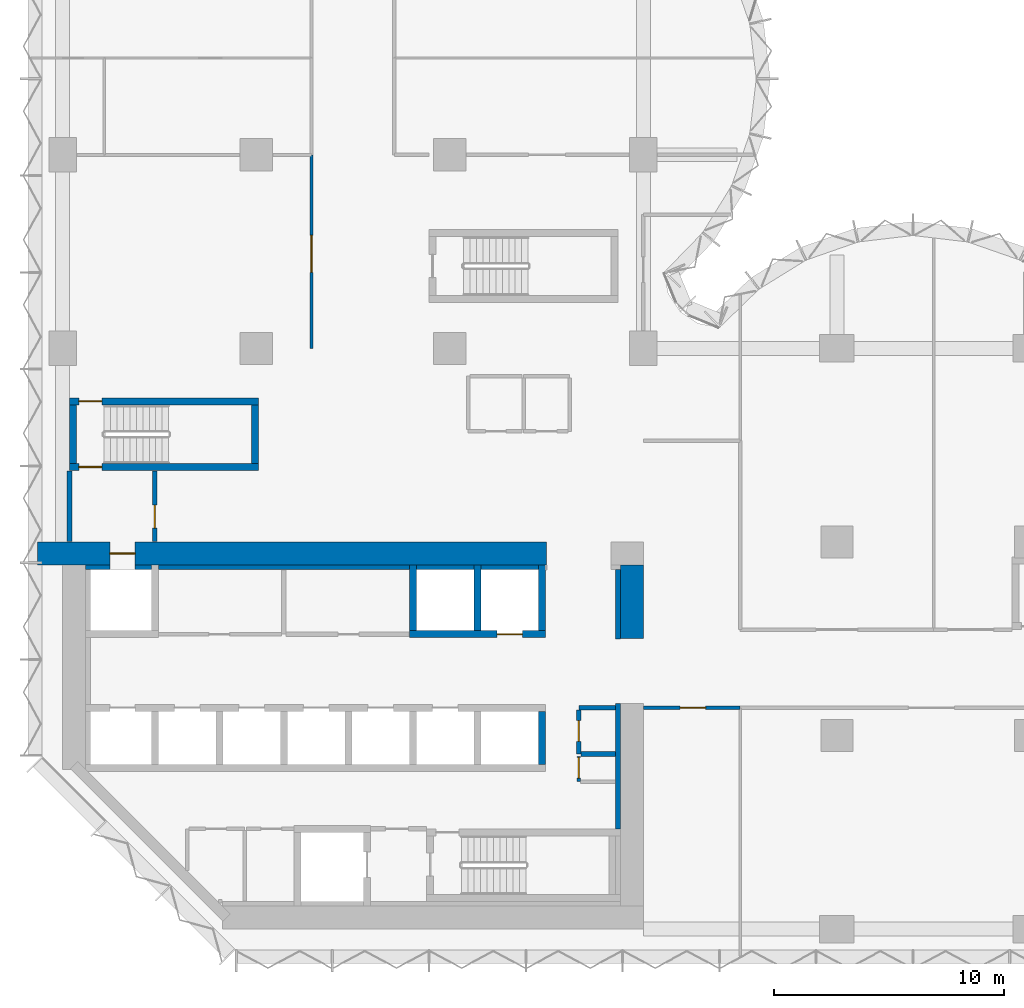
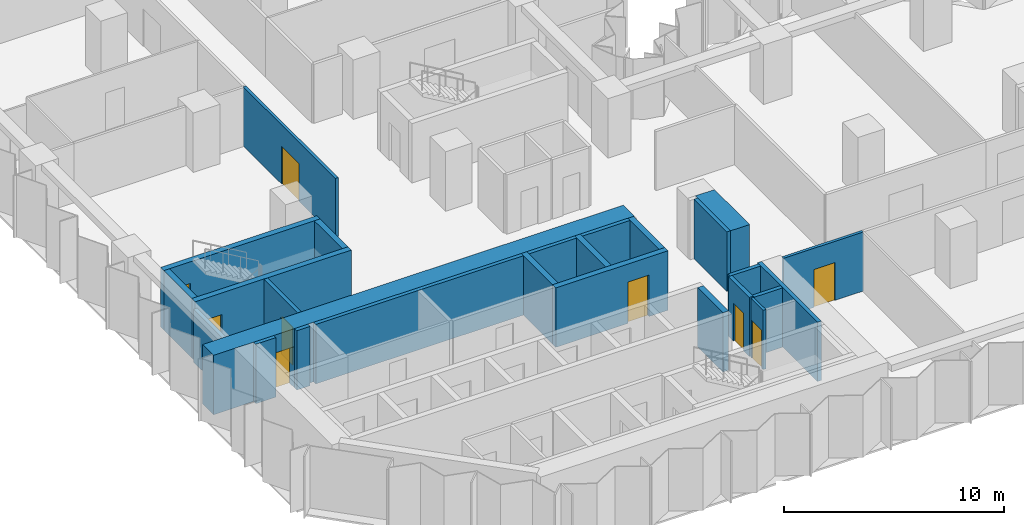
# One storey, part 8 of 15: 26 walls, 9 doors, 9 openings.
"""IFC4 building model written with IfcOpenShell, lengths in metres."""

from ifc_helpers import new_model, si_unit, direction, frame, frame_2d, origin, place, context, subcontext, project, spatial, rectangle, extrude, material, layer, layer_set, type_object, element, fill, save


model = new_model("IFC4")

# Units and contexts
model_context = context("Model", 3, precision=1e-05, world=origin(), true_north=direction((0.0, 1.0)))
body_context = subcontext(model_context, "Body", "Model", "MODEL_VIEW")
ifc_project = project(units=[si_unit("LENGTHUNIT", "METRE"), si_unit("AREAUNIT", "SQUARE_METRE"), si_unit("VOLUMEUNIT", "CUBIC_METRE"), si_unit("PLANEANGLEUNIT", "RADIAN"), si_unit("MASSUNIT", "GRAM", prefix="KILO")], contexts=[model_context])

# Site, building, storey
site_placement = place(None, origin())
site = spatial("IfcSite", under=ifc_project, at=site_placement, CompositionType="ELEMENT")
building_placement = place(site_placement, origin())
building = spatial("IfcBuilding", under=site, at=building_placement, Name="Brevane Broadcast Tower", CompositionType="ELEMENT")
storey_placement = place(building_placement, frame((0.0, 0.0, 83.300048828125)))
storey = spatial("IfcBuildingStorey", under=building, at=storey_placement, Name="L19", CompositionType="ELEMENT", Elevation=83.300048828125)

# Walls
ifc_material_1 = material(Name="Concrete C32/40", Category="concrete")
ifc_layer_1 = layer(ifc_material_1, 0.199951171875)
ifc_layer_set_1 = layer_set([ifc_layer_1], Name="Core chase wall 200 mm")
wall_type_1 = type_object("IfcWallType", Name="Core chase wall 200 mm", PredefinedType="PARTITIONING", material=ifc_layer_set_1)
wall_1_placement = place(storey_placement, frame((24.10009765625, 12.60009765625, 0.0), z_axis=(0.0, 0.0, 1.0), x_axis=(0.0, 1.0, 0.0)))
element("IfcWall", 1, at=wall_1_placement, inside=storey, type_object=wall_type_1, Name="L19 chase wall LE2", PredefinedType="PARTITIONING", context=body_context, shape_type="SweptSolid", body=[
    extrude(rectangle(XDim=3.0, YDim=0.199951171875, at=frame_2d((1.5, 0.0))), origin(), (0.0, 0.0, 1.0), 3.300048828125),
])
wall_2_placement = place(storey_placement, frame((1.0, 15.699951171875, 0.0), z_axis=(0.0, 0.0, 1.0), x_axis=(1.0, 0.0, 0.0)))
element("IfcWall", 2, at=wall_2_placement, inside=storey, type_object=wall_type_1, Name="L19 chase wall LN0", PredefinedType="PARTITIONING", context=body_context, shape_type="SweptSolid", body=[
    extrude(rectangle(XDim=1.050048828125, YDim=0.199951171875, at=frame_2d((0.52490234375, 0.0))), origin(), (0.0, 0.0, 1.0), 3.300048828125),
])
wall_3_placement = place(storey_placement, frame((3.14990234375, 15.699951171875, 0.0), z_axis=(0.0, 0.0, 1.0), x_axis=(1.0, 0.0, 0.0)))
element("IfcWall", 3, at=wall_3_placement, inside=storey, type_object=wall_type_1, Name="L19 chase wall LN1-1", PredefinedType="PARTITIONING", context=body_context, shape_type="SweptSolid", body=[
    extrude(rectangle(XDim=0.7001953125, YDim=0.199951171875, at=frame_2d((0.35009765625, 0.0))), origin(), (0.0, 0.0, 1.0), 3.300048828125),
])
wall_4_placement = place(storey_placement, frame((4.14990234375, 15.699951171875, 0.0), z_axis=(0.0, 0.0, 1.0), x_axis=(1.0, 0.0, 0.0)))
element("IfcWall", 4, at=wall_4_placement, inside=storey, type_object=wall_type_1, Name="L19 chase wall LN1-2-1", PredefinedType="PARTITIONING", context=body_context, shape_type="SweptSolid", body=[
    extrude(rectangle(XDim=10.900146484375, YDim=0.199951171875, at=frame_2d((5.4501953125, 0.0))), origin(), (0.0, 0.0, 1.0), 3.300048828125),
])
for number, where, z_axis, x_axis, name in (
    (5, (15.35009765625, 15.699951171875, 0.0), (0.0, 0.0, 1.0), (1.0, 0.0, 0.0), "L19 chase wall LN1-2-2-1"),
    (6, (18.14990234375, 15.699951171875, 0.0), (0.0, 0.0, 1.0), (1.0, 0.0, 0.0), "L19 chase wall LN1-2-2-2-1"),
):
    element("IfcWall", number, at=place(storey_placement, frame(where, z_axis=z_axis, x_axis=x_axis)), inside=storey, type_object=wall_type_1, Name=name, PredefinedType="PARTITIONING", context=body_context, shape_type="SweptSolid", body=[
        extrude(rectangle(XDim=2.5, YDim=0.199951171875, at=frame_2d((1.25, 0.0))), origin(), (0.0, 0.0, 1.0), 3.300048828125),
    ])
wall_5_placement = place(storey_placement, frame((24.10009765625, 4.35009765625, 0.0), z_axis=(0.0, 0.0, 1.0), x_axis=(0.0, 1.0, 0.0)))
element("IfcWall", 7, at=wall_5_placement, inside=storey, type_object=wall_type_1, Name="L19 chase wall LE1-2-2", PredefinedType="PARTITIONING", context=body_context, shape_type="SweptSolid", body=[
    extrude(rectangle(XDim=5.449951171875, YDim=0.199951171875, at=frame_2d((2.72509765625, 0.0))), origin(), (0.0, 0.0, 1.0), 3.300048828125),
])

# Wall, opening, door
ifc_material_2 = material(Name="Gypsum board on steel studs", Category="steel")
ifc_layer_2 = layer(ifc_material_2, 0.14990234375)
ifc_layer_set_2 = layer_set([ifc_layer_2], Name="Core fire partition 150 mm")
wall_type_2 = type_object("IfcWallType", Name="Core fire partition 150 mm", PredefinedType="PARTITIONING", material=ifc_layer_set_2)
wall_6_placement = place(storey_placement, frame((22.39990234375, 7.5, 0.0), z_axis=(0.0, 0.0, 1.0), x_axis=(0.0, -1.0, 0.0)))
wall_6 = element("IfcWall", 8, at=wall_6_placement, inside=storey, type_object=wall_type_2, Name="L19 partition wall P22", PredefinedType="PARTITIONING", context=body_context, shape_type="SweptSolid", body=[
    extrude(rectangle(XDim=1.10009765625, YDim=0.14990234375, at=frame_2d((0.550048828125, 0.0))), origin(), (0.0, 0.0, 1.0), 3.300048828125),
])
opening_1_placement = place(wall_6_placement, frame((0.050048828125, 0.0, 0.0)))
opening_1 = element("IfcOpeningElement", 9, at=opening_1_placement, cuts=wall_6, Name="Opening L19-K19", PredefinedType="OPENING", context=body_context, shape_type="SweptSolid", body=[
    extrude(rectangle(XDim=0.89990234375, YDim=2.10009765625, at=frame_2d((0.449951171875, 1.050048828125))), frame((0.0, 0.0849609375, 0.0), z_axis=(0.0, -1.0, 0.0), x_axis=(1.0, 0.0, 0.0)), (0.0, 0.0, 1.0), 0.169921875),
])
ifc_material_3 = material(Name="Steel", Category="steel")
door_type_1 = type_object("IfcDoorType", Name="Service room door 900 x 2100", OperationType="SINGLE_SWING_LEFT", PredefinedType="DOOR", material=ifc_material_3)
door_1_placement = place(opening_1_placement, origin())
door_1 = element("IfcDoor", 10, at=door_1_placement, inside=storey, type_object=door_type_1, Name="Door L19-K19", OperationType="SINGLE_SWING_LEFT", OverallHeight=2.10009765625, OverallWidth=0.89990234375, PredefinedType="DOOR", context=body_context, shape_type="SweptSolid", body=[
    extrude(rectangle(XDim=0.89990234375, YDim=2.10009765625, at=frame_2d((0.449951171875, 1.050048828125))), frame((0.0, 0.02490234375, 0.0), z_axis=(0.0, -1.0, 0.0), x_axis=(1.0, 0.0, 0.0)), (0.0, 0.0, 1.0), 0.050048828125),
])
fill(opening_1, door_1)

# Wall
ifc_layer_3 = layer(ifc_material_2, 0.199951171875)
ifc_layer_set_3 = layer_set([ifc_layer_3], Name="Core fire partition 200 mm")
wall_type_3 = type_object("IfcWallType", Name="Core fire partition 200 mm", PredefinedType="PARTITIONING", material=ifc_layer_set_3)
wall_7_placement = place(storey_placement, frame((0.300048828125, 16.81201171875, 0.0), z_axis=(0.0, 0.0, 1.0), x_axis=(0.0, 1.0, 0.0)))
element("IfcWall", 11, at=wall_7_placement, inside=storey, type_object=wall_type_3, Name="L19 partition wall P01", PredefinedType="PARTITIONING", context=body_context, shape_type="SweptSolid", body=[
    extrude(rectangle(XDim=3.075927734375, YDim=0.199951171875, at=frame_2d((1.5380859375, 0.0))), origin(), (0.0, 0.0, 1.0), 2.929931640625),
])

# Wall, opening, door
wall_8_placement = place(storey_placement, frame((4.0, 19.887939453125, 0.0), z_axis=(0.0, 0.0, 1.0), x_axis=(0.0, -1.0, 0.0)))
wall_8 = element("IfcWall", 12, at=wall_8_placement, inside=storey, type_object=wall_type_3, Name="L19 partition wall P02", PredefinedType="PARTITIONING", context=body_context, shape_type="SweptSolid", body=[
    extrude(rectangle(XDim=3.075927734375, YDim=0.199951171875, at=frame_2d((1.5380859375, 0.0))), origin(), (0.0, 0.0, 1.0), 3.300048828125),
])
opening_2_placement = place(wall_8_placement, frame((1.488037109375, 0.0, 0.0)))
opening_2 = element("IfcOpeningElement", 13, at=opening_2_placement, cuts=wall_8, Name="Opening L19-K23", PredefinedType="OPENING", context=body_context, shape_type="SweptSolid", body=[
    extrude(rectangle(XDim=1.0, YDim=2.10009765625, at=frame_2d((0.5, 1.050048828125))), frame((0.0, 0.10986328125, 0.0), z_axis=(0.0, -1.0, 0.0), x_axis=(1.0, 0.0, 0.0)), (0.0, 0.0, 1.0), 0.219970703125),
])
door_type_2 = type_object("IfcDoorType", Name="Stair door 1000 x 2100", OperationType="SINGLE_SWING_LEFT", PredefinedType="DOOR", material=ifc_material_3)
door_2_placement = place(opening_2_placement, origin())
door_2 = element("IfcDoor", 14, at=door_2_placement, inside=storey, type_object=door_type_2, Name="Door L19-K23", OperationType="SINGLE_SWING_LEFT", OverallHeight=2.10009765625, OverallWidth=1.0, PredefinedType="DOOR", context=body_context, shape_type="SweptSolid", body=[
    extrude(rectangle(XDim=1.0, YDim=2.10009765625, at=frame_2d((0.5, 1.050048828125))), frame((0.0, 0.02490234375, 0.0), z_axis=(0.0, -1.0, 0.0), x_axis=(1.0, 0.0, 0.0)), (0.0, 0.0, 1.0), 0.050048828125),
])
fill(opening_2, door_2)

# Wall
wall_9_placement = place(storey_placement, frame((23.988037109375, 9.60009765625, 0.0), z_axis=(0.0, 0.0, 1.0), x_axis=(-1.0, 0.0, 0.0)))
element("IfcWall", 15, at=wall_9_placement, inside=storey, type_object=wall_type_3, Name="L19 partition wall P06", PredefinedType="PARTITIONING", context=body_context, shape_type="SweptSolid", body=[
    extrude(rectangle(XDim=1.588134765625, YDim=0.199951171875, at=frame_2d((0.7939453125, 0.0))), origin(), (0.0, 0.0, 1.0), 3.300048828125),
])

# Wall, opening, door
wall_10_placement = place(storey_placement, frame((22.39990234375, 9.5, 0.0), z_axis=(0.0, 0.0, 1.0), x_axis=(0.0, -1.0, 0.0)))
wall_10 = element("IfcWall", 16, at=wall_10_placement, inside=storey, type_object=wall_type_3, Name="L19 partition wall P07", PredefinedType="PARTITIONING", context=body_context, shape_type="SweptSolid", body=[
    extrude(rectangle(XDim=1.89990234375, YDim=0.199951171875, at=frame_2d((0.949951171875, 0.0))), origin(), (0.0, 0.0, 1.0), 3.300048828125),
])
opening_3_placement = place(wall_10_placement, frame((0.449951171875, 0.0, 0.0)))
opening_3 = element("IfcOpeningElement", 17, at=opening_3_placement, cuts=wall_10, Name="Opening L19-K20", PredefinedType="OPENING", context=body_context, shape_type="SweptSolid", body=[
    extrude(rectangle(XDim=0.89990234375, YDim=2.10009765625, at=frame_2d((0.449951171875, 1.050048828125))), frame((0.0, 0.10986328125, 0.0), z_axis=(0.0, -1.0, 0.0), x_axis=(1.0, 0.0, 0.0)), (0.0, 0.0, 1.0), 0.219970703125),
])
door_3_placement = place(opening_3_placement, origin())
door_3 = element("IfcDoor", 18, at=door_3_placement, inside=storey, type_object=door_type_1, Name="Door L19-K20", OperationType="SINGLE_SWING_RIGHT", OverallHeight=2.10009765625, OverallWidth=0.89990234375, PredefinedType="DOOR", context=body_context, shape_type="SweptSolid", body=[
    extrude(rectangle(XDim=0.89990234375, YDim=2.10009765625, at=frame_2d((0.449951171875, 1.050048828125))), frame((0.0, 0.02490234375, 0.0), z_axis=(0.0, -1.0, 0.0), x_axis=(1.0, 0.0, 0.0)), (0.0, 0.0, 1.0), 0.050048828125),
])
fill(opening_3, door_3)

# Wall
wall_11_placement = place(storey_placement, frame((22.5, 7.60009765625, 0.0), z_axis=(0.0, 0.0, 1.0), x_axis=(1.0, 0.0, 0.0)))
element("IfcWall", 19, at=wall_11_placement, inside=storey, type_object=wall_type_3, Name="L19 partition wall P08", PredefinedType="PARTITIONING", context=body_context, shape_type="SweptSolid", body=[
    extrude(rectangle(XDim=1.488037109375, YDim=0.199951171875, at=frame_2d((0.744140625, 0.0))), origin(), (0.0, 0.0, 1.0), 3.300048828125),
])

# Wall, opening, door
ifc_material_4 = material(Name="Concrete C80/95", Category="concrete")
ifc_layer_4 = layer(ifc_material_4, 1.0)
ifc_layer_set_4 = layer_set([ifc_layer_4], Name="Core wall 1000 mm C80/95")
wall_type_4 = type_object("IfcWallType", Name="Core wall 1000 mm C80/95", PredefinedType="SHEAR", material=ifc_layer_set_4)
wall_12_placement = place(storey_placement, frame((-1.10009765625, 16.300048828125, 0.0), z_axis=(0.0, 0.0, 1.0), x_axis=(1.0, 0.0, 0.0)))
wall_12 = element("IfcWall", 20, at=wall_12_placement, inside=storey, type_object=wall_type_4, Name="L19 outer wall WN1", PredefinedType="SHEAR", context=body_context, shape_type="SweptSolid", body=[
    extrude(rectangle(XDim=22.10009765625, YDim=1.0, at=frame_2d((11.050048828125, 0.0))), origin(), (0.0, 0.0, 1.0), 3.300048828125),
])
opening_4_placement = place(wall_12_placement, frame((3.14990234375, 0.0, 0.0)))
opening_4 = element("IfcOpeningElement", 21, at=opening_4_placement, cuts=wall_12, Name="Opening LD", PredefinedType="OPENING", context=body_context, shape_type="SweptSolid", body=[
    extrude(rectangle(XDim=1.10009765625, YDim=2.300048828125, at=frame_2d((0.550048828125, 1.14990234375))), frame((0.0, 0.510009765625, 0.0), z_axis=(0.0, -1.0, 0.0), x_axis=(1.0, 0.0, 0.0)), (0.0, 0.0, 1.0), 1.02001953125),
])
ifc_material_5 = material(Name="Stainless steel", Category="steel")
door_type_3 = type_object("IfcDoorType", Name="Lift landing door", OperationType="SLIDING_TO_LEFT", PredefinedType="DOOR", material=ifc_material_5)
door_4_placement = place(opening_4_placement, origin())
door_4 = element("IfcDoor", 22, at=door_4_placement, inside=storey, type_object=door_type_3, Name="Landing door FF1 L19", OperationType="SLIDING_TO_LEFT", OverallHeight=2.300048828125, OverallWidth=1.10009765625, PredefinedType="DOOR", context=body_context, shape_type="SweptSolid", body=[
    extrude(rectangle(XDim=1.10009765625, YDim=2.300048828125, at=frame_2d((0.550048828125, 1.14990234375))), frame((0.0, 0.02490234375, 0.0), z_axis=(0.0, -1.0, 0.0), x_axis=(1.0, 0.0, 0.0)), (0.0, 0.0, 1.0), 0.050048828125),
])
fill(opening_4, door_4)

# Walls
wall_13_placement = place(storey_placement, frame((24.699951171875, 12.60009765625, 0.0), z_axis=(0.0, 0.0, 1.0), x_axis=(0.0, 1.0, 0.0)))
element("IfcWall", 23, at=wall_13_placement, inside=storey, type_object=wall_type_4, Name="L19 outer wall WE2", PredefinedType="SHEAR", context=body_context, shape_type="SweptSolid", body=[
    extrude(rectangle(XDim=3.199951171875, YDim=1.0, at=frame_2d((1.60009765625, 0.0))), origin(), (0.0, 0.0, 1.0), 3.300048828125),
])
ifc_layer_5 = layer(ifc_material_4, 0.300048828125)
ifc_layer_set_5 = layer_set([ifc_layer_5], Name="Core wall 300 mm C80/95")
wall_type_5 = type_object("IfcWallType", Name="Core wall 300 mm C80/95", PredefinedType="SHEAR", material=ifc_layer_set_5)
wall_14_placement = place(storey_placement, frame((20.800048828125, 7.14990234375, 0.0), z_axis=(0.0, 0.0, 1.0), x_axis=(0.0, 1.0, 0.0)))
element("IfcWall", 24, at=wall_14_placement, inside=storey, type_object=wall_type_5, Name="L19 shaft wall SH-S-P208", PredefinedType="SHEAR", context=body_context, shape_type="SweptSolid", body=[
    extrude(rectangle(XDim=2.300048828125, YDim=0.300048828125, at=frame_2d((1.14990234375, 0.0))), origin(), (0.0, 0.0, 1.0), 3.300048828125),
])

# Wall, opening, door
wall_15_placement = place(storey_placement, frame((15.050048828125, 12.800048828125, 0.0), z_axis=(0.0, 0.0, 1.0), x_axis=(1.0, 0.0, 0.0)))
wall_15 = element("IfcWall", 25, at=wall_15_placement, inside=storey, type_object=wall_type_5, Name="L19 shaft wall SH-N152-front", PredefinedType="SHEAR", context=body_context, shape_type="SweptSolid", body=[
    extrude(rectangle(XDim=5.89990234375, YDim=0.300048828125, at=frame_2d((2.949951171875, 0.0))), origin(), (0.0, 0.0, 1.0), 3.300048828125),
])
opening_5_placement = place(wall_15_placement, frame((3.800048828125, 0.0, 0.0)))
opening_5 = element("IfcOpeningElement", 26, at=opening_5_placement, cuts=wall_15, Name="Opening LD", PredefinedType="OPENING", context=body_context, shape_type="SweptSolid", body=[
    extrude(rectangle(XDim=1.10009765625, YDim=2.300048828125, at=frame_2d((0.550048828125, 1.14990234375))), frame((0.0, 0.159912109375, 0.0), z_axis=(0.0, -1.0, 0.0), x_axis=(1.0, 0.0, 0.0)), (0.0, 0.0, 1.0), 0.320068359375),
])
door_5_placement = place(opening_5_placement, origin())
door_5 = element("IfcDoor", 27, at=door_5_placement, inside=storey, type_object=door_type_3, Name="Landing door SL1 L19", OperationType="SLIDING_TO_LEFT", OverallHeight=2.300048828125, OverallWidth=1.10009765625, PredefinedType="DOOR", context=body_context, shape_type="SweptSolid", body=[
    extrude(rectangle(XDim=1.10009765625, YDim=2.300048828125, at=frame_2d((0.550048828125, 1.14990234375))), frame((0.0, 0.02490234375, 0.0), z_axis=(0.0, -1.0, 0.0), x_axis=(1.0, 0.0, 0.0)), (0.0, 0.0, 1.0), 0.050048828125),
])
fill(opening_5, door_5)

# Walls
for number, where, z_axis, x_axis, name in (
    (28, (15.199951171875, 12.949951171875, 0.0), (0.0, 0.0, 1.0), (0.0, 1.0, 0.0), "L19 shaft wall SH-N-P152"),
    (29, (18.0, 12.949951171875, 0.0), (0.0, 0.0, 1.0), (0.0, 1.0, 0.0), "L19 shaft wall SH-N-P180"),
    (30, (20.800048828125, 12.949951171875, 0.0), (0.0, 0.0, 1.0), (0.0, 1.0, 0.0), "L19 shaft wall SH-N-P208"),
):
    element("IfcWall", number, at=place(storey_placement, frame(where, z_axis=z_axis, x_axis=x_axis)), inside=storey, type_object=wall_type_5, Name=name, PredefinedType="SHEAR", context=body_context, shape_type="SweptSolid", body=[
        extrude(rectangle(XDim=2.85009765625, YDim=0.300048828125, at=frame_2d((1.425048828125, 0.0))), origin(), (0.0, 0.0, 1.0), 3.300048828125),
    ])

# Wall, opening, door
wall_16_placement = place(storey_placement, frame((8.5, 20.050048828125, 0.0), z_axis=(0.0, 0.0, 1.0), x_axis=(-1.0, 0.0, 0.0)))
wall_16 = element("IfcWall", 31, at=wall_16_placement, inside=storey, type_object=wall_type_5, Name="L19 stair wall ST-1-S", PredefinedType="SHEAR", context=body_context, shape_type="SweptSolid", body=[
    extrude(rectangle(XDim=8.199951171875, YDim=0.300048828125, at=frame_2d((4.10009765625, 0.0))), origin(), (0.0, 0.0, 1.0), 3.300048828125),
])
opening_6_placement = place(wall_16_placement, frame((6.800048828125, 0.0, 0.0)))
opening_6 = element("IfcOpeningElement", 32, at=opening_6_placement, cuts=wall_16, Name="Opening L19-K10", PredefinedType="OPENING", context=body_context, shape_type="SweptSolid", body=[
    extrude(rectangle(XDim=1.0, YDim=2.10009765625, at=frame_2d((0.5, 1.050048828125))), frame((0.0, 0.159912109375, 0.0), z_axis=(0.0, -1.0, 0.0), x_axis=(1.0, 0.0, 0.0)), (0.0, 0.0, 1.0), 0.320068359375),
])
door_6_placement = place(opening_6_placement, origin())
door_6 = element("IfcDoor", 33, at=door_6_placement, inside=storey, type_object=door_type_2, Name="Door L19-K10", OperationType="SINGLE_SWING_RIGHT", OverallHeight=2.10009765625, OverallWidth=1.0, PredefinedType="DOOR", context=body_context, shape_type="SweptSolid", body=[
    extrude(rectangle(XDim=1.0, YDim=2.10009765625, at=frame_2d((0.5, 1.050048828125))), frame((0.0, 0.02490234375, 0.0), z_axis=(0.0, -1.0, 0.0), x_axis=(1.0, 0.0, 0.0)), (0.0, 0.0, 1.0), 0.050048828125),
])
fill(opening_6, door_6)

wall_17_placement = place(storey_placement, frame((0.300048828125, 22.89990234375, 0.0), z_axis=(0.0, 0.0, 1.0), x_axis=(1.0, 0.0, 0.0)))
wall_17 = element("IfcWall", 34, at=wall_17_placement, inside=storey, type_object=wall_type_5, Name="L19 stair wall ST-1-N", PredefinedType="SHEAR", context=body_context, shape_type="SweptSolid", body=[
    extrude(rectangle(XDim=8.199951171875, YDim=0.300048828125, at=frame_2d((4.10009765625, 0.0))), origin(), (0.0, 0.0, 1.0), 3.300048828125),
])
opening_7_placement = place(wall_17_placement, frame((0.39990234375, 0.0, 0.0)))
opening_7 = element("IfcOpeningElement", 35, at=opening_7_placement, cuts=wall_17, Name="Opening L19-K11", PredefinedType="OPENING", context=body_context, shape_type="SweptSolid", body=[
    extrude(rectangle(XDim=1.0, YDim=2.10009765625, at=frame_2d((0.5, 1.050048828125))), frame((0.0, 0.159912109375, 0.0), z_axis=(0.0, -1.0, 0.0), x_axis=(1.0, 0.0, 0.0)), (0.0, 0.0, 1.0), 0.320068359375),
])
door_7_placement = place(opening_7_placement, origin())
door_7 = element("IfcDoor", 36, at=door_7_placement, inside=storey, type_object=door_type_2, Name="Door L19-K11", OperationType="SINGLE_SWING_LEFT", OverallHeight=2.10009765625, OverallWidth=1.0, PredefinedType="DOOR", context=body_context, shape_type="SweptSolid", body=[
    extrude(rectangle(XDim=1.0, YDim=2.10009765625, at=frame_2d((0.5, 1.050048828125))), frame((0.0, 0.02490234375, 0.0), z_axis=(0.0, -1.0, 0.0), x_axis=(1.0, 0.0, 0.0)), (0.0, 0.0, 1.0), 0.050048828125),
])
fill(opening_7, door_7)

# Walls
for number, where, z_axis, x_axis, name in (
    (37, (0.449951171875, 20.199951171875, 0.0), (0.0, 0.0, 1.0), (0.0, 1.0, 0.0), "L19 stair wall ST-1-W"),
    (38, (8.35009765625, 20.199951171875, 0.0), (0.0, 0.0, 1.0), (0.0, 1.0, 0.0), "L19 stair wall ST-1-E"),
):
    element("IfcWall", number, at=place(storey_placement, frame(where, z_axis=z_axis, x_axis=x_axis)), inside=storey, type_object=wall_type_5, Name=name, PredefinedType="SHEAR", context=body_context, shape_type="SweptSolid", body=[
        extrude(rectangle(XDim=2.550048828125, YDim=0.300048828125, at=frame_2d((1.27490234375, 0.0))), origin(), (0.0, 0.0, 1.0), 3.300048828125),
    ])

# Wall, opening, door
ifc_material_6 = material(Name="Gypsum board partition")
ifc_layer_6 = layer(ifc_material_6, 0.14990234375)
ifc_layer_set_6 = layer_set([ifc_layer_6], Name="PARTITION 150 EI 60")
wall_type_6 = type_object("IfcWallType", Name="PARTITION 150 EI 60", PredefinedType="PARTITIONING", material=ifc_layer_set_6)
wall_18_placement = place(storey_placement, frame((29.39990234375, 9.60009765625, 0.0), z_axis=(0.0, 0.0, 1.0), x_axis=(-1.0, 0.0, 0.0)))
wall_18 = element("IfcWall", 39, at=wall_18_placement, inside=storey, type_object=wall_type_6, Name="Partition G05-002", PredefinedType="PARTITIONING", context=body_context, shape_type="SweptSolid", body=[
    extrude(rectangle(XDim=4.199951171875, YDim=0.14990234375, at=frame_2d((2.10009765625, 0.0))), origin(), (0.0, 0.0, 1.0), 3.280029296875),
])
opening_8_placement = place(wall_18_placement, frame((1.5, 0.0, 0.0)))
opening_8 = element("IfcOpeningElement", 40, at=opening_8_placement, cuts=wall_18, Name="Opening D11-003", PredefinedType="OPENING", context=body_context, shape_type="SweptSolid", body=[
    extrude(rectangle(XDim=1.10009765625, YDim=2.10009765625, at=frame_2d((0.550048828125, 1.050048828125))), frame((0.0, 0.0849609375, 0.0), z_axis=(0.0, -1.0, 0.0), x_axis=(1.0, 0.0, 0.0)), (0.0, 0.0, 1.0), 0.169921875),
])
ifc_material_7 = material(Name="Fire-rated timber door leaf", Category="wood")
door_type_4 = type_object("IfcDoorType", Name="DOOR SINGLE 1100 FD30S", OperationType="SINGLE_SWING_LEFT", PredefinedType="DOOR", material=ifc_material_7)
door_8_placement = place(opening_8_placement, origin())
door_8 = element("IfcDoor", 41, at=door_8_placement, inside=storey, type_object=door_type_4, Name="Door D11-003", OperationType="SINGLE_SWING_LEFT", OverallHeight=2.10009765625, OverallWidth=1.10009765625, PredefinedType="DOOR", context=body_context, shape_type="SweptSolid", body=[
    extrude(rectangle(XDim=1.10009765625, YDim=2.10009765625, at=frame_2d((0.550048828125, 1.050048828125))), frame((0.0, 0.02490234375, 0.0), z_axis=(0.0, -1.0, 0.0), x_axis=(1.0, 0.0, 0.0)), (0.0, 0.0, 1.0), 0.050048828125),
])
fill(opening_8, door_8)

wall_19_placement = place(storey_placement, frame((10.800048828125, 25.199951171875, 0.0), z_axis=(0.0, 0.0, 1.0), x_axis=(0.0, 1.0, 0.0)))
wall_19 = element("IfcWall", 42, at=wall_19_placement, inside=storey, type_object=wall_type_6, Name="Partition G05-025", PredefinedType="PARTITIONING", context=body_context, shape_type="SweptSolid", body=[
    extrude(rectangle(XDim=8.400146484375, YDim=0.14990234375, at=frame_2d((4.2001953125, 0.0))), origin(), (0.0, 0.0, 1.0), 3.280029296875),
])
opening_9_placement = place(wall_19_placement, frame((3.300048828125, 0.0, 0.0)))
opening_9 = element("IfcOpeningElement", 43, at=opening_9_placement, cuts=wall_19, Name="Opening D11-012", PredefinedType="OPENING", context=body_context, shape_type="SweptSolid", body=[
    extrude(rectangle(XDim=1.60009765625, YDim=2.10009765625, at=frame_2d((0.800048828125, 1.050048828125))), frame((0.0, 0.0849609375, 0.0), z_axis=(0.0, -1.0, 0.0), x_axis=(1.0, 0.0, 0.0)), (0.0, 0.0, 1.0), 0.169921875),
])
door_type_5 = type_object("IfcDoorType", Name="DOOR DOUBLE 1600 FD30S", OperationType="DOUBLE_DOOR_SINGLE_SWING", PredefinedType="DOOR", material=ifc_material_7)
door_9_placement = place(opening_9_placement, origin())
door_9 = element("IfcDoor", 44, at=door_9_placement, inside=storey, type_object=door_type_5, Name="Door D11-012", OperationType="DOUBLE_DOOR_SINGLE_SWING", OverallHeight=2.10009765625, OverallWidth=1.60009765625, PredefinedType="DOOR", context=body_context, shape_type="SweptSolid", body=[
    extrude(rectangle(XDim=1.60009765625, YDim=2.10009765625, at=frame_2d((0.800048828125, 1.050048828125))), frame((0.0, 0.02490234375, 0.0), z_axis=(0.0, -1.0, 0.0), x_axis=(1.0, 0.0, 0.0)), (0.0, 0.0, 1.0), 0.050048828125),
])
fill(opening_9, door_9)

save(model, "model.ifc")
